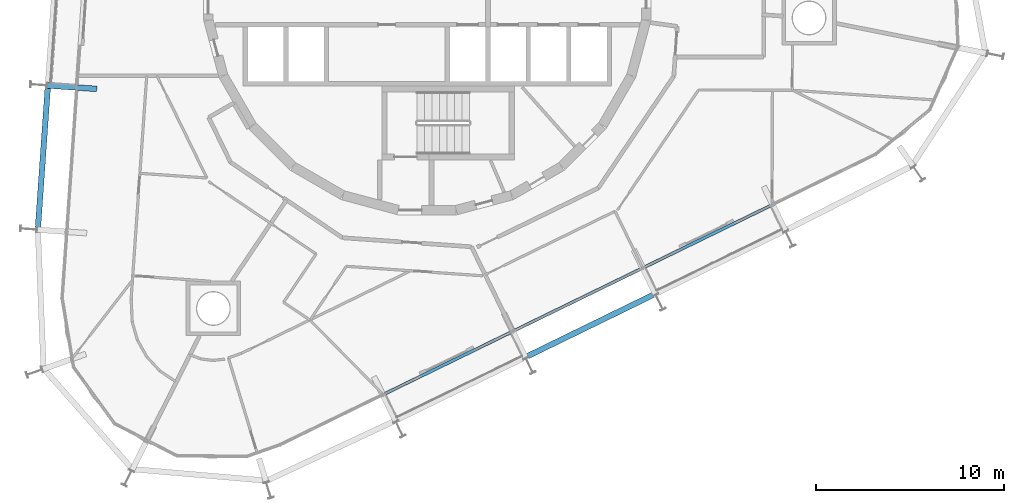
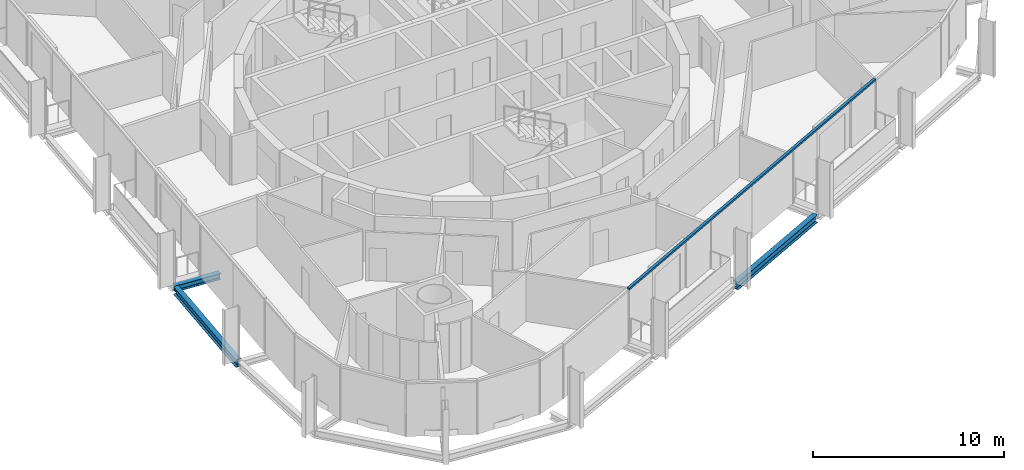
# One storey, part 3 of 17: 3 beams, 1 member, 1 element without a shape of its own.
"""IFC4 building model written with IfcOpenShell, lengths in metres."""

from ifc_helpers import new_model, si_unit, direction, frame, origin, origin_2d, place, context, subcontext, project, spatial, rectangle, i_section, extrude, material, layer, layer_set, material_profile, profile_set, type_object, element, aggregate, save


model = new_model("IFC4")

# Units and contexts
model_context = context("Model", 3, precision=1e-05, world=origin(), true_north=direction((0.0, 1.0)))
body_context = subcontext(model_context, "Body", "Model", "MODEL_VIEW")
ifc_project = project(units=[si_unit("LENGTHUNIT", "METRE"), si_unit("AREAUNIT", "SQUARE_METRE"), si_unit("VOLUMEUNIT", "CUBIC_METRE"), si_unit("PLANEANGLEUNIT", "RADIAN"), si_unit("MASSUNIT", "GRAM", prefix="KILO")], contexts=[model_context])

# Site, building, storey
site_placement = place(None, origin())
site = spatial("IfcSite", under=ifc_project, at=site_placement, CompositionType="ELEMENT")
building_placement = place(site_placement, origin())
building = spatial("IfcBuilding", under=site, at=building_placement, Name="Spindle Arch Residences", CompositionType="ELEMENT")
storey_placement = place(building_placement, frame((0.0, 0.0, 209.39990234375)))
storey = spatial("IfcBuildingStorey", under=building, at=storey_placement, Name="L53", CompositionType="ELEMENT", Elevation=209.39990234375)

# Curtain wall, member
ifc_material_1 = material(Name="Aluminium bronze unitised frame with tinted glass", Category="aluminium")
ifc_layer = layer(ifc_material_1, 0.159912109375)
ifc_layer_set = layer_set([ifc_layer], Name="CW-C typical residential unitised wall")
curtain_wall_type = type_object("IfcCurtainWallType", Name="CW-C typical residential unitised wall", PredefinedType="NOTDEFINED", material=ifc_layer_set)
curtain_wall_placement = place(storey_placement, origin())
curtain_wall = element("IfcCurtainWall", 1, at=curtain_wall_placement, inside=storey, type_object=curtain_wall_type, Name="CW-C L53 run 6", PredefinedType="NOTDEFINED")
ifc_material_2 = material(Name="Aluminium bronze anodised transom", Category="aluminium")
ifc_material_profile_1 = material_profile(ifc_material_2, rectangle(XDim=0.159912109375, YDim=0.1201171875, at=origin_2d()), Name="TR 120x160")
ifc_profile_set_1 = profile_set([ifc_material_profile_1], Name="Aluminium bronze anodised transom")
member_type = type_object("IfcMemberType", Name="Bronze transom 120x160", PredefinedType="USERDEFINED", material=ifc_profile_set_1)
member_placement = place(storey_placement, frame((-2.340576171875, -21.45849609375, 3.06005859375), z_axis=(0.898793313451, 0.438372649347, 0.0), x_axis=(-0.438372649347, 0.898793313451, 0.0)))
member = element("IfcMember", 2, at=member_placement, type_object=member_type, Name="CW-C transom 00", ObjectType="TRANSOM", PredefinedType="USERDEFINED", context=body_context, shape_type="SweptSolid", body=[
    extrude(rectangle(XDim=0.159912109375, YDim=0.1201171875, at=origin_2d()), origin(), (0.0, 0.0, 1.0), 23.02099609375),
])
aggregate(curtain_wall, [member])

# Beams
ifc_material_3 = material(Name="Steel S460ML, intumescent coating R 120", Category="steel")
ifc_material_profile_2 = material_profile(ifc_material_3, i_section(OverallWidth=0.300048828125, OverallDepth=0.5, WebThickness=0.014404296875, FlangeThickness=0.028076171875, FilletRadius=0.027099609375, at=origin_2d()), Name="HEB 500")
ifc_profile_set_2 = profile_set([ifc_material_profile_2], Name="Steel S460ML, intumescent coating R 120")
beam_type_1 = type_object("IfcBeamType", Name="Exoskeleton edge beam HEB 500", PredefinedType="BEAM", material=ifc_profile_set_2)
beam_1_placement = place(storey_placement, frame((-20.198974609375, -5.14501953125, -0.6298828125), z_axis=(-0.069725196579, -0.99756623688, 0.0), x_axis=(0.99756623688, -0.069725196579, 0.0)))
element("IfcBeam", 3, at=beam_1_placement, inside=storey, type_object=beam_type_1, Name="Exoskeleton edge beam 16", PredefinedType="BEAM", context=body_context, shape_type="SweptSolid", body=[
    extrude(i_section(OverallWidth=0.300048828125, OverallDepth=0.5, WebThickness=0.014404296875, FlangeThickness=0.028076171875, FilletRadius=0.027099609375, at=origin_2d()), origin(), (0.0, 0.0, 1.0), 7.43359375),
])
beam_2_placement = place(storey_placement, frame((5.3349609375, -19.417236328125, -0.6298828125), z_axis=(0.898791170385, 0.438377043238, 0.0), x_axis=(-0.438377043238, 0.898791170385, 0.0)))
element("IfcBeam", 4, at=beam_2_placement, inside=storey, type_object=beam_type_1, Name="Exoskeleton edge beam 22", PredefinedType="BEAM", context=body_context, shape_type="SweptSolid", body=[
    extrude(i_section(OverallWidth=0.300048828125, OverallDepth=0.5, WebThickness=0.014404296875, FlangeThickness=0.028076171875, FilletRadius=0.027099609375, at=origin_2d()), origin(), (0.0, 0.0, 1.0), 7.433837890625),
])
ifc_material_4 = material(Name="Steel S460ML, intumescent coating R 120", Category="steel")
ifc_material_profile_3 = material_profile(ifc_material_4, i_section(OverallWidth=0.300048828125, OverallDepth=0.389892578125, WebThickness=0.010986328125, FlangeThickness=0.01904296875, FilletRadius=0.027099609375, at=origin_2d()), Name="HEA 400")
ifc_profile_set_3 = profile_set([ifc_material_profile_3], Name="Steel S460ML, intumescent coating R 120")
beam_type_2 = type_object("IfcBeamType", Name="Floor outrigger HEA 400", PredefinedType="BEAM", material=ifc_profile_set_3)
beam_3_placement = place(storey_placement, frame((-20.229736328125, -5.012451171875, -0.574951171875), z_axis=(0.997565124092, -0.069741115528, 0.0), x_axis=(0.069741115528, 0.997565124092, 0.0)))
element("IfcBeam", 5, at=beam_3_placement, inside=storey, type_object=beam_type_2, Name="Floor outrigger 16", PredefinedType="BEAM", context=body_context, shape_type="SweptSolid", body=[
    extrude(i_section(OverallWidth=0.300048828125, OverallDepth=0.389892578125, WebThickness=0.010986328125, FlangeThickness=0.01904296875, FilletRadius=0.027099609375, at=origin_2d()), origin(), (0.0, 0.0, 1.0), 2.64990234375),
])

save(model, "model.ifc")
